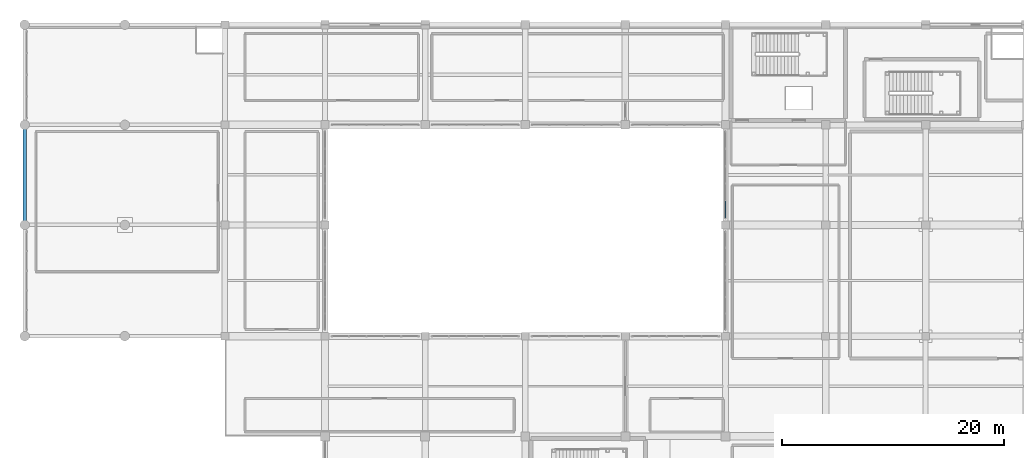
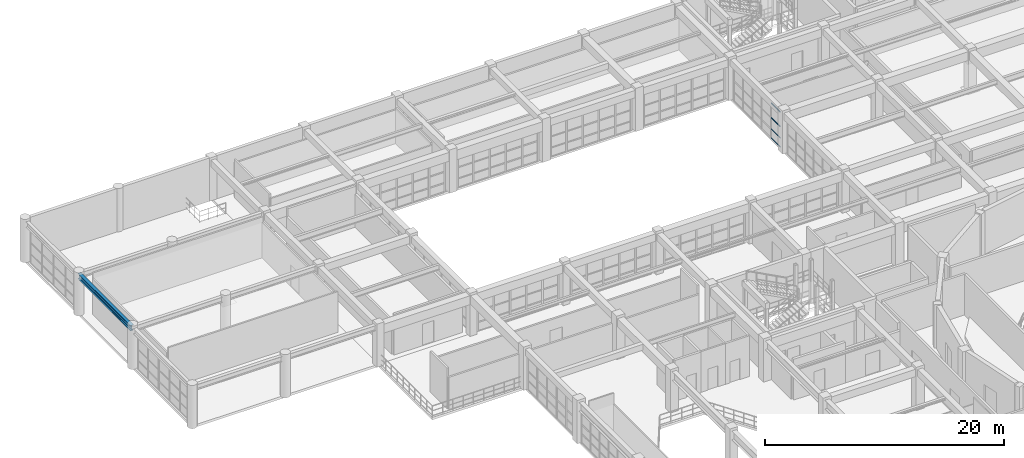
# One storey, part 60 of 133: 4 members, 1 beam, 1 element without a shape of its own.
"""IFC4 building model written with IfcOpenShell, lengths in metres."""

from ifc_helpers import new_model, si_unit, direction, frame, origin, origin_2d, place, context, subcontext, project, spatial, hollow_rectangle, i_section, extrude, material, material_profile, profile_set, type_object, element, aggregate, save


model = new_model("IFC4")

# Units and contexts
model_context = context("Model", 3, precision=1e-05, world=origin(), true_north=direction((0.0, 1.0)))
body_context = subcontext(model_context, "Body", "Model", "MODEL_VIEW")
ifc_project = project(units=[si_unit("LENGTHUNIT", "METRE"), si_unit("AREAUNIT", "SQUARE_METRE"), si_unit("VOLUMEUNIT", "CUBIC_METRE"), si_unit("PLANEANGLEUNIT", "RADIAN"), si_unit("MASSUNIT", "GRAM", prefix="KILO")], contexts=[model_context])

# Site, building, storey
site_placement = place(None, origin())
site = spatial("IfcSite", under=ifc_project, at=site_placement, CompositionType="ELEMENT")
building_placement = place(site_placement, origin())
building = spatial("IfcBuilding", under=site, at=building_placement, Name="Miravela Opera House", CompositionType="ELEMENT")
storey_placement = place(building_placement, frame((0.0, 0.0, 5.10009765625)))
storey = spatial("IfcBuildingStorey", under=building, at=storey_placement, Name="L01", CompositionType="ELEMENT", Elevation=5.10009765625)

# Curtain wall, members
ifc_material_1 = material(Name="Anodised architectural bronze aluminium 6063-T6", Category="aluminium")
curtain_wall_type = type_object("IfcCurtainWallType", Name="ARC-CW-05", PredefinedType="NOTDEFINED", material=ifc_material_1)
curtain_wall_placement = place(storey_placement, origin())
curtain_wall = element("IfcCurtainWall", 1, at=curtain_wall_placement, inside=storey, type_object=curtain_wall_type, Name="Courtyard Arcade Curtain Wall CW-L01-088", PredefinedType="NOTDEFINED")
ifc_material_profile_1 = material_profile(ifc_material_1, hollow_rectangle(XDim=0.06005859375, YDim=0.114990234375, WallThickness=0.00390625, InnerFilletRadius=0.001953125, OuterFilletRadius=0.00390625, at=origin_2d()), Name="CWT-60X115")
ifc_profile_set_1 = profile_set([ifc_material_profile_1])
member_type = type_object("IfcMemberType", Name="ARC-CWT-115", PredefinedType="USERDEFINED", material=ifc_profile_set_1)
member_1_placement = place(storey_placement, frame((63.0, 94.639892578125, 0.02978515625), z_axis=(0.0, 1.0, 0.0), x_axis=(-1.0, 0.0, 0.0)))
member_1 = element("IfcMember", 2, at=member_1_placement, type_object=member_type, Name="CW-05 transom 1.1", ObjectType="TRANSOM", PredefinedType="USERDEFINED", context=body_context, shape_type="SweptSolid", body=[
    extrude(hollow_rectangle(XDim=0.06005859375, YDim=0.114990234375, WallThickness=0.00390625, InnerFilletRadius=0.001953125, OuterFilletRadius=0.00390625, at=origin_2d()), origin(), (0.0, 0.0, 1.0), 1.47802734375),
])
member_2_placement = place(storey_placement, frame((63.0, 94.639892578125, 0.949951171875), z_axis=(0.0, 1.0, 0.0), x_axis=(-1.0, 0.0, 0.0)))
member_2 = element("IfcMember", 3, at=member_2_placement, type_object=member_type, Name="CW-05 transom 1.2", ObjectType="TRANSOM", PredefinedType="USERDEFINED", context=body_context, shape_type="SweptSolid", body=[
    extrude(hollow_rectangle(XDim=0.06005859375, YDim=0.114990234375, WallThickness=0.00390625, InnerFilletRadius=0.001953125, OuterFilletRadius=0.00390625, at=origin_2d()), origin(), (0.0, 0.0, 1.0), 1.47802734375),
])
member_3_placement = place(storey_placement, frame((63.0, 94.639892578125, 2.09375), z_axis=(0.0, 1.0, 0.0), x_axis=(-1.0, 0.0, 0.0)))
member_3 = element("IfcMember", 4, at=member_3_placement, type_object=member_type, Name="CW-05 transom 1.3", ObjectType="TRANSOM", PredefinedType="USERDEFINED", context=body_context, shape_type="SweptSolid", body=[
    extrude(hollow_rectangle(XDim=0.06005859375, YDim=0.114990234375, WallThickness=0.00390625, InnerFilletRadius=0.001953125, OuterFilletRadius=0.00390625, at=origin_2d()), origin(), (0.0, 0.0, 1.0), 1.47802734375),
])
member_4_placement = place(storey_placement, frame((63.0, 94.639892578125, 3.579833984375), z_axis=(0.0, 1.0, 0.0), x_axis=(-1.0, 0.0, 0.0)))
member_4 = element("IfcMember", 5, at=member_4_placement, type_object=member_type, Name="CW-05 transom 1.4", ObjectType="TRANSOM", PredefinedType="USERDEFINED", context=body_context, shape_type="SweptSolid", body=[
    extrude(hollow_rectangle(XDim=0.06005859375, YDim=0.114990234375, WallThickness=0.00390625, InnerFilletRadius=0.001953125, OuterFilletRadius=0.00390625, at=origin_2d()), origin(), (0.0, 0.0, 1.0), 1.47802734375),
])
aggregate(curtain_wall, [member_1, member_2, member_3, member_4])

# Beam
ifc_material_2 = material(Name="Structural steel ASTM A992 Gr. 50", Category="steel")
ifc_material_profile_2 = material_profile(ifc_material_2, i_section(OverallWidth=0.31201171875, OverallDepth=0.54296875, WebThickness=0.0126953125, FlangeThickness=0.020263671875, FilletRadius=0.01611328125, at=origin_2d()), Name="W530X150")
ifc_profile_set_2 = profile_set([ifc_material_profile_2])
beam_type = type_object("IfcBeamType", Name="STR-BM-W530X150", PredefinedType="BEAM", material=ifc_profile_set_2)
beam_placement = place(storey_placement, frame((0.0, 94.080078125, 3.908447265625), z_axis=(0.0, 1.0, 0.0), x_axis=(-1.0, 0.0, 0.0)))
element("IfcBeam", 6, at=beam_placement, inside=storey, type_object=beam_type, Name="Roof Eave Girder ROOF-V5-NORTH W2", PredefinedType="BEAM", context=body_context, shape_type="SweptSolid", body=[
    extrude(i_section(OverallWidth=0.31201171875, OverallDepth=0.54296875, WebThickness=0.0126953125, FlangeThickness=0.020263671875, FilletRadius=0.01611328125, at=origin_2d()), origin(), (0.0, 0.0, 1.0), 8.83984375),
])

save(model, "model.ifc")
